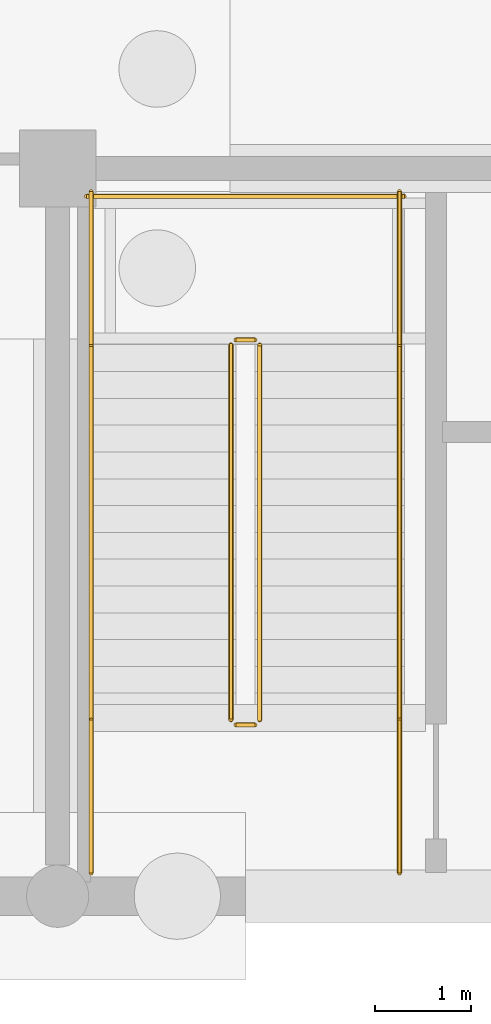
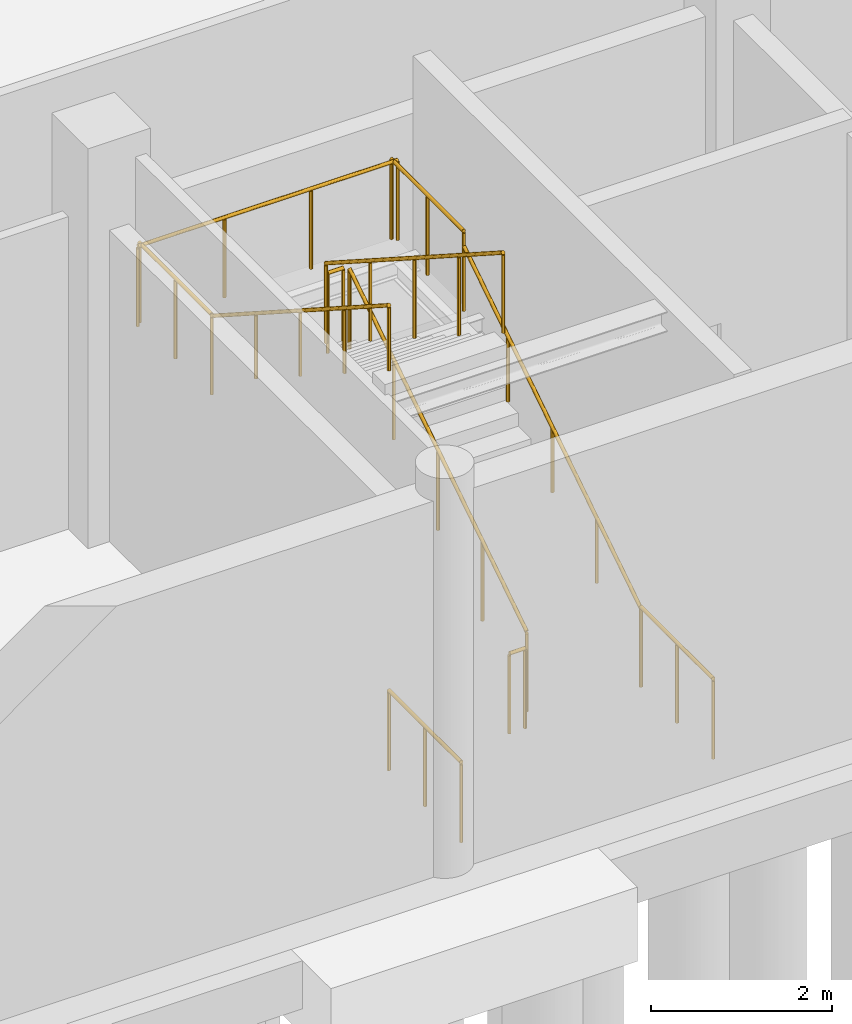
# One storey, part 39 of 44: 11 railings.
"""IFC4 building model written with IfcOpenShell, lengths in metres."""

from ifc_helpers import new_model, si_unit, direction, frame, origin, origin_2d, place, context, subcontext, project, spatial, circle, extrude, material, type_object, element, save


model = new_model("IFC4")

# Units and contexts
model_context = context("Model", 3, precision=1e-05, world=origin(), true_north=direction((0.0, 1.0)))
body_context = subcontext(model_context, "Body", "Model", "MODEL_VIEW")
ifc_project = project(units=[si_unit("LENGTHUNIT", "METRE"), si_unit("AREAUNIT", "SQUARE_METRE"), si_unit("VOLUMEUNIT", "CUBIC_METRE"), si_unit("PLANEANGLEUNIT", "RADIAN"), si_unit("MASSUNIT", "GRAM", prefix="KILO")], contexts=[model_context])

# Site, building, storey
site_placement = place(None, origin())
site = spatial("IfcSite", under=ifc_project, at=site_placement, CompositionType="ELEMENT")
building_placement = place(site_placement, origin())
building = spatial("IfcBuilding", under=site, at=building_placement, Name="Khelvaren Railside Concert Hall", CompositionType="ELEMENT")
storey_placement = place(building_placement, frame((0.0, 0.0, -5.39990234375)))
storey = spatial("IfcBuildingStorey", under=building, at=storey_placement, Name="B1", CompositionType="ELEMENT", Elevation=-5.39990234375)

# Railings
ifc_material_1 = material(Name="Painted architectural steel", Category="steel")
railing_type_1 = type_object("IfcRailingType", Name="GRD86", PredefinedType="GUARDRAIL", material=ifc_material_1)
railing_1_placement = place(storey_placement, frame((122.110107421875, 1.840087890625, 0.179931640625)))
element("IfcRailing", 1, at=railing_1_placement, inside=storey, type_object=railing_type_1, Name="B1 ST-06 stair guard 1", PredefinedType="GUARDRAIL", context=body_context, shape_type="SweptSolid", body=[
    extrude(circle(Radius=0.02392578125, at=origin_2d()), frame((0.0, 0.0, 1.076171875), z_axis=(0.0, 0.841171666519, 0.540768182723), x_axis=(-1.0, 0.0, 0.0)), (0.0, 0.0, 1.0), 4.66015625),
    extrude(circle(Radius=0.02099609375, at=origin_2d()), origin(), (0.0, 0.0, 1.0), 1.052001953125),
    extrude(circle(Radius=0.02099609375, at=origin_2d()), frame((0.0, 0.97998046875, 0.6298828125)), (0.0, 0.0, 1.0), 1.052001953125),
    extrude(circle(Radius=0.02099609375, at=origin_2d()), frame((0.0, 1.9599609375, 1.260009765625)), (0.0, 0.0, 1.0), 1.052001953125),
    extrude(circle(Radius=0.02099609375, at=origin_2d()), frame((0.0, 2.93994140625, 1.89013671875)), (0.0, 0.0, 1.0), 1.052001953125),
    extrude(circle(Radius=0.02099609375, at=origin_2d()), frame((0.0, 3.919921875, 2.52001953125)), (0.0, 0.0, 1.0), 1.052001953125),
])
railing_2_placement = place(storey_placement, frame((122.06005859375, 5.81005859375, 2.699951171875)))
element("IfcRailing", 2, at=railing_2_placement, inside=storey, type_object=railing_type_1, Name="B1 ST-06 stair guard 2", PredefinedType="GUARDRAIL", context=body_context, shape_type="SweptSolid", body=[
    extrude(circle(Radius=0.02392578125, at=origin_2d()), frame((0.0, 0.0, 1.076171875), z_axis=(-1.0, 0.0, 0.0), x_axis=(0.0, -1.0, 0.0)), (0.0, 0.0, 1.0), 0.199951171875),
    extrude(circle(Radius=0.02099609375, at=origin_2d()), origin(), (0.0, 0.0, 1.0), 1.052001953125),
    extrude(circle(Radius=0.02099609375, at=origin_2d()), frame((-0.199951171875, 0.0, 0.0)), (0.0, 0.0, 1.0), 1.052001953125),
])
for number, where, name in (
    (3, (123.570068359375, 5.760009765625, 2.699951171875), "B1 ST-06 stair guard 3"),
    (4, (120.35009765625, 5.760009765625, 2.699951171875), "B1 ST-06 stair guard 4"),
):
    element("IfcRailing", number, at=place(storey_placement, frame(where)), inside=storey, type_object=railing_type_1, Name=name, PredefinedType="GUARDRAIL", context=body_context, shape_type="SweptSolid", body=[
        extrude(circle(Radius=0.02392578125, at=origin_2d()), frame((0.0, 0.0, 1.076171875), z_axis=(0.0, 1.0, 0.0), x_axis=(-1.0, 0.0, 0.0)), (0.0, 0.0, 1.0), 1.60009765625),
        extrude(circle(Radius=0.02099609375, at=origin_2d()), origin(), (0.0, 0.0, 1.0), 1.052001953125),
        extrude(circle(Radius=0.02099609375, at=origin_2d()), frame((0.0, 0.800048828125, 0.0)), (0.0, 0.0, 1.0), 1.052001953125),
        extrude(circle(Radius=0.02099609375, at=origin_2d()), frame((0.0, 1.60009765625, 0.0)), (0.0, 0.0, 1.0), 1.052001953125),
    ])
railing_3_placement = place(storey_placement, frame((123.6201171875, 7.31005859375, 2.699951171875)))
element("IfcRailing", 5, at=railing_3_placement, inside=storey, type_object=railing_type_1, Name="B1 ST-06 stair guard 5", PredefinedType="GUARDRAIL", context=body_context, shape_type="SweptSolid", body=[
    extrude(circle(Radius=0.02392578125, at=origin_2d()), frame((0.0, 0.0, 1.076171875), z_axis=(-1.0, 0.0, 0.0), x_axis=(0.0, -1.0, 0.0)), (0.0, 0.0, 1.0), 3.320068359375),
    extrude(circle(Radius=0.02099609375, at=origin_2d()), origin(), (0.0, 0.0, 1.0), 1.052001953125),
    extrude(circle(Radius=0.02099609375, at=origin_2d()), frame((-1.106689453125, 0.0, 0.0)), (0.0, 0.0, 1.0), 1.052001953125),
    extrude(circle(Radius=0.02099609375, at=origin_2d()), frame((-2.21337890625, 0.0, 0.0)), (0.0, 0.0, 1.0), 1.052001953125),
    extrude(circle(Radius=0.02099609375, at=origin_2d()), frame((-3.320068359375, 0.0, 0.0)), (0.0, 0.0, 1.0), 1.052001953125),
])
railing_4_placement = place(storey_placement, frame((121.81005859375, 5.760009765625, 2.8798828125)))
element("IfcRailing", 6, at=railing_4_placement, inside=storey, type_object=railing_type_1, Name="B1 ST-06 stair guard 6", PredefinedType="GUARDRAIL", context=body_context, shape_type="SweptSolid", body=[
    extrude(circle(Radius=0.02392578125, at=origin_2d()), frame((0.0, 0.0, 1.076171875), z_axis=(0.0, -0.841171666519, 0.540768182723), x_axis=(1.0, 0.0, 0.0)), (0.0, 0.0, 1.0), 4.66015625),
    extrude(circle(Radius=0.02099609375, at=origin_2d()), origin(), (0.0, 0.0, 1.0), 1.052001953125),
    extrude(circle(Radius=0.02099609375, at=origin_2d()), frame((0.0, -0.97998046875, 0.6298828125)), (0.0, 0.0, 1.0), 1.052001953125),
    extrude(circle(Radius=0.02099609375, at=origin_2d()), frame((0.0, -1.9599609375, 1.260009765625)), (0.0, 0.0, 1.0), 1.052001953125),
    extrude(circle(Radius=0.02099609375, at=origin_2d()), frame((0.0, -2.93994140625, 1.89013671875)), (0.0, 0.0, 1.0), 1.052001953125),
    extrude(circle(Radius=0.02099609375, at=origin_2d()), frame((0.0, -3.919921875, 2.52001953125)), (0.0, 0.0, 1.0), 1.052001953125),
])
railing_5_placement = place(storey_placement, frame((122.06005859375, 1.7900390625, 0.0)))
element("IfcRailing", 7, at=railing_5_placement, inside=storey, type_object=railing_type_1, Name="B1 ST-06 stair guard 7", PredefinedType="GUARDRAIL", context=body_context, shape_type="SweptSolid", body=[
    extrude(circle(Radius=0.02392578125, at=origin_2d()), frame((0.0, 0.0, 1.076171875), z_axis=(-1.0, 0.0, 0.0), x_axis=(0.0, -1.0, 0.0)), (0.0, 0.0, 1.0), 0.199951171875),
    extrude(circle(Radius=0.02099609375, at=origin_2d()), origin(), (0.0, 0.0, 1.0), 1.052001953125),
    extrude(circle(Radius=0.02099609375, at=origin_2d()), frame((-0.199951171875, 0.0, 0.0)), (0.0, 0.0, 1.0), 1.052001953125),
])
for number, where, name in (
    (8, (123.570068359375, 0.239990234375, 0.0), "B1 ST-06 stair guard 8"),
    (9, (120.35009765625, 0.239990234375, 0.0), "B1 ST-06 stair guard 9"),
):
    element("IfcRailing", number, at=place(storey_placement, frame(where)), inside=storey, type_object=railing_type_1, Name=name, PredefinedType="GUARDRAIL", context=body_context, shape_type="SweptSolid", body=[
        extrude(circle(Radius=0.02392578125, at=origin_2d()), frame((0.0, 0.0, 1.076171875), z_axis=(0.0, 1.0, 0.0), x_axis=(-1.0, 0.0, 0.0)), (0.0, 0.0, 1.0), 1.60009765625),
        extrude(circle(Radius=0.02099609375, at=origin_2d()), origin(), (0.0, 0.0, 1.0), 1.052001953125),
        extrude(circle(Radius=0.02099609375, at=origin_2d()), frame((0.0, 0.800048828125, 0.0)), (0.0, 0.0, 1.0), 1.052001953125),
        extrude(circle(Radius=0.02099609375, at=origin_2d()), frame((0.0, 1.60009765625, 0.0)), (0.0, 0.0, 1.0), 1.052001953125),
    ])
ifc_material_2 = material(Name="Brushed stainless steel Grade 316", Category="steel")
railing_type_2 = type_object("IfcRailingType", Name="HRL59", PredefinedType="HANDRAIL", material=ifc_material_2)
railing_6_placement = place(storey_placement, frame((123.570068359375, 1.840087890625, 0.179931640625)))
element("IfcRailing", 10, at=railing_6_placement, inside=storey, type_object=railing_type_2, Name="B1 ST-06 stair handrail 1", PredefinedType="HANDRAIL", context=body_context, shape_type="SweptSolid", body=[
    extrude(circle(Radius=0.02392578125, at=origin_2d()), frame((0.0, 0.0, 0.8759765625), z_axis=(0.0, 0.841171666519, 0.540768182723), x_axis=(-1.0, 0.0, 0.0)), (0.0, 0.0, 1.0), 4.66015625),
    extrude(circle(Radius=0.02099609375, at=origin_2d()), origin(), (0.0, 0.0, 1.0), 0.851806640625),
    extrude(circle(Radius=0.02099609375, at=origin_2d()), frame((0.0, 0.97998046875, 0.6298828125)), (0.0, 0.0, 1.0), 0.851806640625),
    extrude(circle(Radius=0.02099609375, at=origin_2d()), frame((0.0, 1.9599609375, 1.260009765625)), (0.0, 0.0, 1.0), 0.851806640625),
    extrude(circle(Radius=0.02099609375, at=origin_2d()), frame((0.0, 2.93994140625, 1.89013671875)), (0.0, 0.0, 1.0), 0.851806640625),
    extrude(circle(Radius=0.02099609375, at=origin_2d()), frame((0.0, 3.919921875, 2.52001953125)), (0.0, 0.0, 1.0), 0.851806640625),
])
railing_7_placement = place(storey_placement, frame((120.35009765625, 5.760009765625, 2.8798828125)))
element("IfcRailing", 11, at=railing_7_placement, inside=storey, type_object=railing_type_2, Name="B1 ST-06 stair handrail 2", PredefinedType="HANDRAIL", context=body_context, shape_type="SweptSolid", body=[
    extrude(circle(Radius=0.02392578125, at=origin_2d()), frame((0.0, 0.0, 0.8759765625), z_axis=(0.0, -0.841171666519, 0.540768182723), x_axis=(1.0, 0.0, 0.0)), (0.0, 0.0, 1.0), 4.66015625),
    extrude(circle(Radius=0.02099609375, at=origin_2d()), origin(), (0.0, 0.0, 1.0), 0.851806640625),
    extrude(circle(Radius=0.02099609375, at=origin_2d()), frame((0.0, -0.97998046875, 0.6298828125)), (0.0, 0.0, 1.0), 0.851806640625),
    extrude(circle(Radius=0.02099609375, at=origin_2d()), frame((0.0, -1.9599609375, 1.260009765625)), (0.0, 0.0, 1.0), 0.851806640625),
    extrude(circle(Radius=0.02099609375, at=origin_2d()), frame((0.0, -2.93994140625, 1.89013671875)), (0.0, 0.0, 1.0), 0.851806640625),
    extrude(circle(Radius=0.02099609375, at=origin_2d()), frame((0.0, -3.919921875, 2.52001953125)), (0.0, 0.0, 1.0), 0.851806640625),
])

save(model, "model.ifc")
